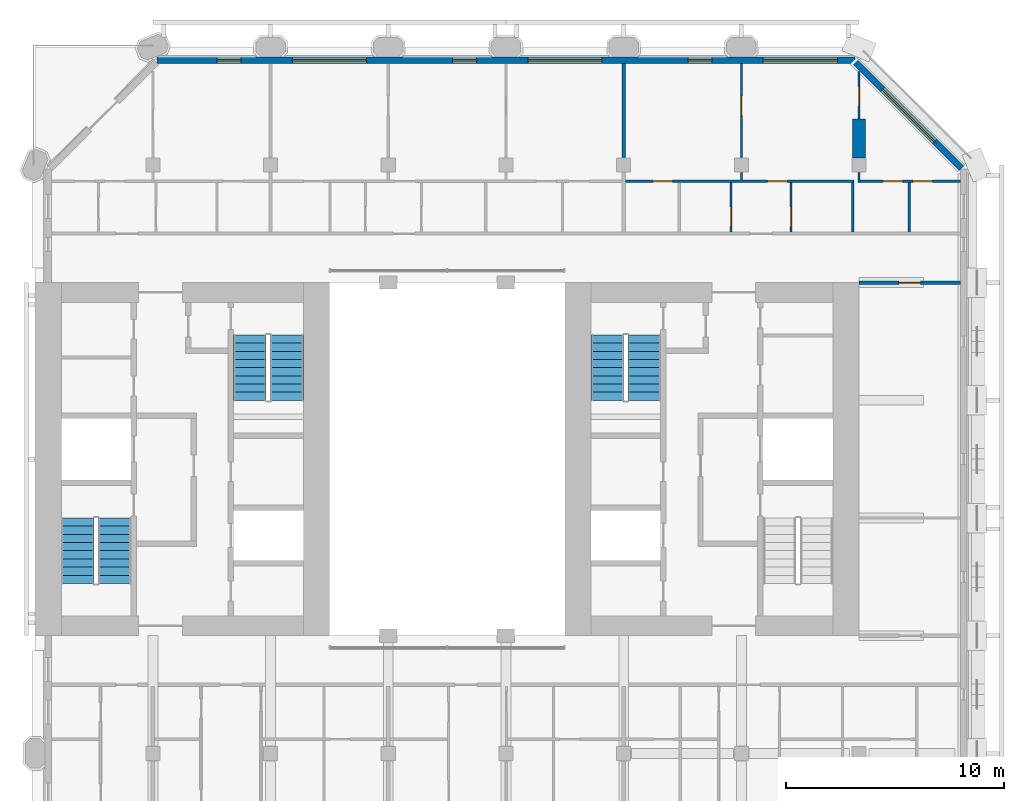
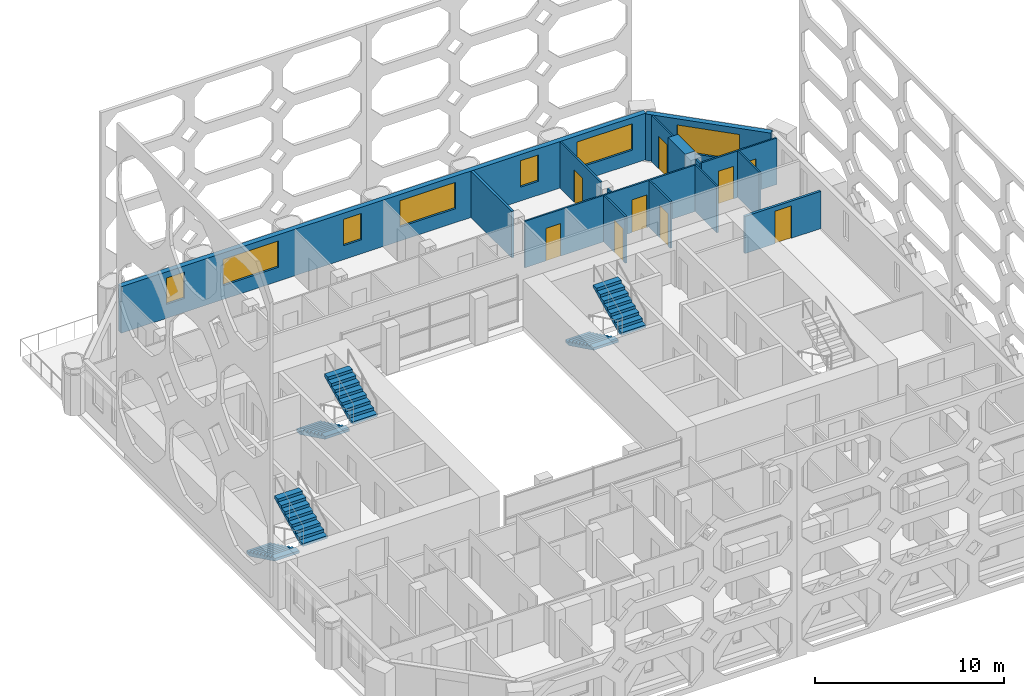
# One storey, part 11 of 15: 15 walls, 9 doors, 7 windows, 6 stair flights, 16 openings, 3 elements without a shape of their own.
"""IFC4 building model written with IfcOpenShell, lengths in metres."""

from ifc_helpers import new_model, si_unit, direction, frame, frame_2d, origin, place, context, subcontext, project, spatial, polyline, rectangle, outline, extrude, material, layer, layer_set, type_object, element, fill, aggregate, save


model = new_model("IFC4")

# Units and contexts
model_context = context("Model", 3, precision=1e-05, world=origin(), true_north=direction((0.0, 1.0)))
body_context = subcontext(model_context, "Body", "Model", "MODEL_VIEW")
ifc_project = project(units=[si_unit("LENGTHUNIT", "METRE"), si_unit("AREAUNIT", "SQUARE_METRE"), si_unit("VOLUMEUNIT", "CUBIC_METRE"), si_unit("PLANEANGLEUNIT", "RADIAN"), si_unit("MASSUNIT", "GRAM", prefix="KILO")], contexts=[model_context])

# Site, building, storey
site_placement = place(None, origin())
site = spatial("IfcSite", under=ifc_project, at=site_placement, CompositionType="ELEMENT")
building_placement = place(site_placement, origin())
building = spatial("IfcBuilding", under=site, at=building_placement, Name="Tabaq Tower and Sports Hall", CompositionType="ELEMENT")
storey_placement = place(building_placement, frame((0.0, 0.0, 265.300048828125)))
storey = spatial("IfcBuildingStorey", under=building, at=storey_placement, Name="L64", CompositionType="ELEMENT", Elevation=265.300048828125)

# Wall
ifc_material_1 = material(Name="Gypsum board on steel studs", Category="steel")
ifc_layer_1 = layer(ifc_material_1, 0.10009765625)
ifc_layer_set_1 = layer_set([ifc_layer_1], Name="Partition 100 Gypsum board")
wall_type_1 = type_object("IfcWallType", Name="Partition 100 Gypsum board", PredefinedType="PARTITIONING", material=ifc_layer_set_1)
wall_1_placement = place(storey_placement, frame((37.800048828125, 37.10009765625, 0.0), z_axis=(0.0, 0.0, 1.0), x_axis=(0.0, 1.0, 0.0)))
element("IfcWall", 1, at=wall_1_placement, inside=storey, type_object=wall_type_1, Name="Partition wall L64", PredefinedType="PARTITIONING", context=body_context, shape_type="SweptSolid", body=[
    extrude(rectangle(XDim=0.35498046875, YDim=0.10009765625, at=frame_2d((0.177490234375, 0.0))), origin(), (0.0, 0.0, 1.0), 3.0),
])

# Wall, opening, door
wall_2_placement = place(storey_placement, frame((37.800048828125, 38.14501953125, 0.0), z_axis=(0.0, 0.0, 1.0), x_axis=(0.0, 1.0, 0.0)))
wall_2 = element("IfcWall", 2, at=wall_2_placement, inside=storey, type_object=wall_type_1, Name="Partition wall L64", PredefinedType="PARTITIONING", context=body_context, shape_type="SweptSolid", body=[
    extrude(rectangle(XDim=4.303955078125, YDim=0.10009765625, at=frame_2d((2.15185546875, 0.0))), origin(), (0.0, 0.0, 1.0), 3.0),
])
opening_1_placement = place(wall_2_placement, frame((1.91796875, 0.0, 0.0)))
opening_1 = element("IfcOpeningElement", 3, at=opening_1_placement, cuts=wall_2, Name="Opening L64-034", PredefinedType="OPENING", context=body_context, shape_type="SweptSolid", body=[
    extrude(rectangle(XDim=0.89990234375, YDim=2.10009765625, at=frame_2d((0.449951171875, 1.050048828125))), frame((0.0, 0.050048828125, 0.0), z_axis=(0.0, -1.0, 0.0), x_axis=(1.0, 0.0, 0.0)), (0.0, 0.0, 1.0), 0.10009765625),
])
ifc_material_2 = material(Name="Timber leaf in steel frame", Category="steel")
door_type_1 = type_object("IfcDoorType", Name="Internal door 900 right hand", OperationType="SINGLE_SWING_RIGHT", PredefinedType="DOOR", material=ifc_material_2)
door_1_placement = place(opening_1_placement, origin())
door_1 = element("IfcDoor", 4, at=door_1_placement, inside=storey, type_object=door_type_1, Name="Internal door L64-034", OperationType="SINGLE_SWING_RIGHT", OverallHeight=2.10009765625, OverallWidth=0.89990234375, PredefinedType="DOOR", context=body_context, shape_type="SweptSolid", body=[
    extrude(rectangle(XDim=0.89990234375, YDim=2.10009765625, at=frame_2d((0.449951171875, 1.050048828125))), frame((0.0, 0.02490234375, 0.0), z_axis=(0.0, -1.0, 0.0), x_axis=(1.0, 0.0, 0.0)), (0.0, 0.0, 1.0), 0.050048828125),
])
fill(opening_1, door_1)

# Wall, openings, doors
wall_3_placement = place(storey_placement, frame((32.47509765625, 37.050048828125, 0.0), z_axis=(0.0, 0.0, 1.0), x_axis=(1.0, 0.0, 0.0)))
wall_3 = element("IfcWall", 5, at=wall_3_placement, inside=storey, type_object=wall_type_1, Name="Partition wall L64", PredefinedType="PARTITIONING", context=body_context, shape_type="SweptSolid", body=[
    extrude(rectangle(XDim=10.48486328125, YDim=0.10009765625, at=frame_2d((5.242431640625, 0.0))), origin(), (0.0, 0.0, 1.0), 3.0),
])
opening_2_placement = place(wall_3_placement, frame((1.27490234375, 0.0, 0.0)))
opening_2 = element("IfcOpeningElement", 6, at=opening_2_placement, cuts=wall_3, Name="Opening L64-008", PredefinedType="OPENING", context=body_context, shape_type="SweptSolid", body=[
    extrude(rectangle(XDim=0.89990234375, YDim=2.10009765625, at=frame_2d((0.449951171875, 1.050048828125))), frame((0.0, 0.050048828125, 0.0), z_axis=(0.0, -1.0, 0.0), x_axis=(1.0, 0.0, 0.0)), (0.0, 0.0, 1.0), 0.10009765625),
])
opening_3_placement = place(wall_3_placement, frame((6.534912109375, 0.0, 0.0)))
opening_3 = element("IfcOpeningElement", 7, at=opening_3_placement, cuts=wall_3, Name="Opening L64-052", PredefinedType="OPENING", context=body_context, shape_type="SweptSolid", body=[
    extrude(rectangle(XDim=0.89990234375, YDim=2.10009765625, at=frame_2d((0.449951171875, 1.050048828125))), frame((0.0, 0.050048828125, 0.0), z_axis=(0.0, -1.0, 0.0), x_axis=(1.0, 0.0, 0.0)), (0.0, 0.0, 1.0), 0.10009765625),
])
door_2_placement = place(opening_2_placement, origin())
door_2 = element("IfcDoor", 8, at=door_2_placement, inside=storey, type_object=door_type_1, Name="Internal door L64-008", OperationType="SINGLE_SWING_RIGHT", OverallHeight=2.10009765625, OverallWidth=0.89990234375, PredefinedType="DOOR", context=body_context, shape_type="SweptSolid", body=[
    extrude(rectangle(XDim=0.89990234375, YDim=2.10009765625, at=frame_2d((0.449951171875, 1.050048828125))), frame((0.0, 0.02490234375, 0.0), z_axis=(0.0, -1.0, 0.0), x_axis=(1.0, 0.0, 0.0)), (0.0, 0.0, 1.0), 0.050048828125),
])
fill(opening_2, door_2)
door_3_placement = place(opening_3_placement, origin())
door_3 = element("IfcDoor", 9, at=door_3_placement, inside=storey, type_object=door_type_1, Name="Internal door L64-052", OperationType="SINGLE_SWING_RIGHT", OverallHeight=2.10009765625, OverallWidth=0.89990234375, PredefinedType="DOOR", context=body_context, shape_type="SweptSolid", body=[
    extrude(rectangle(XDim=0.89990234375, YDim=2.10009765625, at=frame_2d((0.449951171875, 1.050048828125))), frame((0.0, 0.02490234375, 0.0), z_axis=(0.0, -1.0, 0.0), x_axis=(1.0, 0.0, 0.0)), (0.0, 0.0, 1.0), 0.050048828125),
])
fill(opening_3, door_3)

# Wall
wall_4_placement = place(storey_placement, frame((43.199951171875, 37.0, 0.0), z_axis=(0.0, 0.0, 1.0), x_axis=(0.0, 1.0, 0.0)))
element("IfcWall", 10, at=wall_4_placement, inside=storey, type_object=wall_type_1, Name="Partition wall L64", PredefinedType="PARTITIONING", context=body_context, shape_type="SweptSolid", body=[
    extrude(rectangle(XDim=0.455078125, YDim=0.10009765625, at=frame_2d((0.2275390625, 0.0))), origin(), (0.0, 0.0, 1.0), 3.0),
])

# Wall, opening, door
wall_5_placement = place(storey_placement, frame((43.199951171875, 39.91259765625, 0.0), z_axis=(0.0, 0.0, 1.0), x_axis=(0.0, 1.0, 0.0)))
wall_5 = element("IfcWall", 11, at=wall_5_placement, inside=storey, type_object=wall_type_1, Name="Partition wall L64", PredefinedType="PARTITIONING", context=body_context, shape_type="SweptSolid", body=[
    extrude(rectangle(XDim=2.17529296875, YDim=0.10009765625, at=frame_2d((1.087646484375, 0.0))), origin(), (0.0, 0.0, 1.0), 3.0),
])
opening_4_placement = place(wall_5_placement, frame((0.577392578125, 0.0, 0.0)))
opening_4 = element("IfcOpeningElement", 12, at=opening_4_placement, cuts=wall_5, Name="Opening L64-051", PredefinedType="OPENING", context=body_context, shape_type="SweptSolid", body=[
    extrude(rectangle(XDim=0.89990234375, YDim=2.10009765625, at=frame_2d((0.449951171875, 1.050048828125))), frame((0.0, 0.050048828125, 0.0), z_axis=(0.0, -1.0, 0.0), x_axis=(1.0, 0.0, 0.0)), (0.0, 0.0, 1.0), 0.10009765625),
])
ifc_material_3 = material(Name="Timber leaf in steel frame", Category="steel")
door_type_2 = type_object("IfcDoorType", Name="Internal door 900 left hand", OperationType="SINGLE_SWING_LEFT", PredefinedType="DOOR", material=ifc_material_3)
door_4_placement = place(opening_4_placement, origin())
door_4 = element("IfcDoor", 13, at=door_4_placement, inside=storey, type_object=door_type_2, Name="Internal door L64-051", OperationType="SINGLE_SWING_LEFT", OverallHeight=2.10009765625, OverallWidth=0.89990234375, PredefinedType="DOOR", context=body_context, shape_type="SweptSolid", body=[
    extrude(rectangle(XDim=0.89990234375, YDim=2.10009765625, at=frame_2d((0.449951171875, 1.050048828125))), frame((0.0, 0.02490234375, 0.0), z_axis=(0.0, -1.0, 0.0), x_axis=(1.0, 0.0, 0.0)), (0.0, 0.0, 1.0), 0.050048828125),
])
fill(opening_4, door_4)

# Wall, openings, doors
wall_6_placement = place(storey_placement, frame((43.25, 37.050048828125, 0.0), z_axis=(0.0, 0.0, 1.0), x_axis=(1.0, 0.0, 0.0)))
wall_6 = element("IfcWall", 14, at=wall_6_placement, inside=storey, type_object=wall_type_1, Name="Partition wall L64", PredefinedType="PARTITIONING", context=body_context, shape_type="SweptSolid", body=[
    extrude(rectangle(XDim=4.59912109375, YDim=0.10009765625, at=frame_2d((2.299560546875, 0.0))), origin(), (0.0, 0.0, 1.0), 3.0),
])
opening_5_placement = place(wall_6_placement, frame((1.050048828125, 0.0, 0.0)))
opening_5 = element("IfcOpeningElement", 15, at=opening_5_placement, cuts=wall_6, Name="Opening L64-009", PredefinedType="OPENING", context=body_context, shape_type="SweptSolid", body=[
    extrude(rectangle(XDim=0.89990234375, YDim=2.10009765625, at=frame_2d((0.449951171875, 1.050048828125))), frame((0.0, 0.050048828125, 0.0), z_axis=(0.0, -1.0, 0.0), x_axis=(1.0, 0.0, 0.0)), (0.0, 0.0, 1.0), 0.10009765625),
])
opening_6_placement = place(wall_6_placement, frame((2.419921875, 0.0, 0.0)))
opening_6 = element("IfcOpeningElement", 16, at=opening_6_placement, cuts=wall_6, Name="Opening L64-010", PredefinedType="OPENING", context=body_context, shape_type="SweptSolid", body=[
    extrude(rectangle(XDim=0.89990234375, YDim=2.10009765625, at=frame_2d((0.449951171875, 1.050048828125))), frame((0.0, 0.050048828125, 0.0), z_axis=(0.0, -1.0, 0.0), x_axis=(1.0, 0.0, 0.0)), (0.0, 0.0, 1.0), 0.10009765625),
])
door_5_placement = place(opening_5_placement, origin())
door_5 = element("IfcDoor", 17, at=door_5_placement, inside=storey, type_object=door_type_2, Name="Internal door L64-009", OperationType="SINGLE_SWING_LEFT", OverallHeight=2.10009765625, OverallWidth=0.89990234375, PredefinedType="DOOR", context=body_context, shape_type="SweptSolid", body=[
    extrude(rectangle(XDim=0.89990234375, YDim=2.10009765625, at=frame_2d((0.449951171875, 1.050048828125))), frame((0.0, 0.02490234375, 0.0), z_axis=(0.0, -1.0, 0.0), x_axis=(1.0, 0.0, 0.0)), (0.0, 0.0, 1.0), 0.050048828125),
])
fill(opening_5, door_5)
door_6_placement = place(opening_6_placement, origin())
door_6 = element("IfcDoor", 18, at=door_6_placement, inside=storey, type_object=door_type_1, Name="Internal door L64-010", OperationType="SINGLE_SWING_RIGHT", OverallHeight=2.10009765625, OverallWidth=0.89990234375, PredefinedType="DOOR", context=body_context, shape_type="SweptSolid", body=[
    extrude(rectangle(XDim=0.89990234375, YDim=2.10009765625, at=frame_2d((0.449951171875, 1.050048828125))), frame((0.0, 0.02490234375, 0.0), z_axis=(0.0, -1.0, 0.0), x_axis=(1.0, 0.0, 0.0)), (0.0, 0.0, 1.0), 0.050048828125),
])
fill(opening_6, door_6)

# Wall, opening, door
wall_7_placement = place(storey_placement, frame((37.330078125, 34.72509765625, 0.0), z_axis=(0.0, 0.0, 1.0), x_axis=(0.0, 1.0, 0.0)))
wall_7 = element("IfcWall", 19, at=wall_7_placement, inside=storey, type_object=wall_type_1, Name="Partition wall L64", PredefinedType="PARTITIONING", context=body_context, shape_type="SweptSolid", body=[
    extrude(rectangle(XDim=2.27490234375, YDim=0.10009765625, at=frame_2d((1.137451171875, 0.0))), origin(), (0.0, 0.0, 1.0), 3.0),
])
opening_7_placement = place(wall_7_placement, frame((0.25, 0.0, 0.0)))
opening_7 = element("IfcOpeningElement", 20, at=opening_7_placement, cuts=wall_7, Name="Opening L64-011", PredefinedType="OPENING", context=body_context, shape_type="SweptSolid", body=[
    extrude(rectangle(XDim=0.89990234375, YDim=2.10009765625, at=frame_2d((0.449951171875, 1.050048828125))), frame((0.0, 0.050048828125, 0.0), z_axis=(0.0, -1.0, 0.0), x_axis=(1.0, 0.0, 0.0)), (0.0, 0.0, 1.0), 0.10009765625),
])
door_7_placement = place(opening_7_placement, origin())
door_7 = element("IfcDoor", 21, at=door_7_placement, inside=storey, type_object=door_type_2, Name="Internal door L64-011", OperationType="SINGLE_SWING_LEFT", OverallHeight=2.10009765625, OverallWidth=0.89990234375, PredefinedType="DOOR", context=body_context, shape_type="SweptSolid", body=[
    extrude(rectangle(XDim=0.89990234375, YDim=2.10009765625, at=frame_2d((0.449951171875, 1.050048828125))), frame((0.0, 0.02490234375, 0.0), z_axis=(0.0, -1.0, 0.0), x_axis=(1.0, 0.0, 0.0)), (0.0, 0.0, 1.0), 0.050048828125),
])
fill(opening_7, door_7)

wall_8_placement = place(storey_placement, frame((40.080078125, 34.72509765625, 0.0), z_axis=(0.0, 0.0, 1.0), x_axis=(0.0, 1.0, 0.0)))
wall_8 = element("IfcWall", 22, at=wall_8_placement, inside=storey, type_object=wall_type_1, Name="Partition wall L64", PredefinedType="PARTITIONING", context=body_context, shape_type="SweptSolid", body=[
    extrude(rectangle(XDim=2.27490234375, YDim=0.10009765625, at=frame_2d((1.137451171875, 0.0))), origin(), (0.0, 0.0, 1.0), 3.0),
])
opening_8_placement = place(wall_8_placement, frame((0.25, 0.0, 0.0)))
opening_8 = element("IfcOpeningElement", 23, at=opening_8_placement, cuts=wall_8, Name="Opening L64-012", PredefinedType="OPENING", context=body_context, shape_type="SweptSolid", body=[
    extrude(rectangle(XDim=0.89990234375, YDim=2.10009765625, at=frame_2d((0.449951171875, 1.050048828125))), frame((0.0, 0.050048828125, 0.0), z_axis=(0.0, -1.0, 0.0), x_axis=(1.0, 0.0, 0.0)), (0.0, 0.0, 1.0), 0.10009765625),
])
door_8_placement = place(opening_8_placement, origin())
door_8 = element("IfcDoor", 24, at=door_8_placement, inside=storey, type_object=door_type_1, Name="Internal door L64-012", OperationType="SINGLE_SWING_RIGHT", OverallHeight=2.10009765625, OverallWidth=0.89990234375, PredefinedType="DOOR", context=body_context, shape_type="SweptSolid", body=[
    extrude(rectangle(XDim=0.89990234375, YDim=2.10009765625, at=frame_2d((0.449951171875, 1.050048828125))), frame((0.0, 0.02490234375, 0.0), z_axis=(0.0, -1.0, 0.0), x_axis=(1.0, 0.0, 0.0)), (0.0, 0.0, 1.0), 0.050048828125),
])
fill(opening_8, door_8)

# Walls
for number, where, z_axis, x_axis, name in (
    (25, (42.909912109375, 34.72509765625, 0.0), (0.0, 0.0, 1.0), (0.0, 1.0, 0.0), "Partition wall L64"),
    (26, (45.5, 34.72509765625, 0.0), (0.0, 0.0, 1.0), (0.0, 1.0, 0.0), "Partition wall L64"),
):
    element("IfcWall", number, at=place(storey_placement, frame(where, z_axis=z_axis, x_axis=x_axis)), inside=storey, type_object=wall_type_1, Name=name, PredefinedType="PARTITIONING", context=body_context, shape_type="SweptSolid", body=[
        extrude(rectangle(XDim=2.27490234375, YDim=0.10009765625, at=frame_2d((1.137451171875, 0.0))), origin(), (0.0, 0.0, 1.0), 3.0),
    ])
ifc_material_4 = material(Name="Concrete C40/50", Category="concrete")
ifc_layer_2 = layer(ifc_material_4, 0.60009765625)
ifc_layer_set_2 = layer_set([ifc_layer_2], Name="RC TRANSFER WALL 600 C40/50")
wall_type_2 = type_object("IfcWallType", Name="RC TRANSFER WALL 600 C40/50", PredefinedType="SHEAR", material=ifc_layer_set_2)
wall_9_placement = place(storey_placement, frame((43.199951171875, 38.125, 0.0), z_axis=(0.0, 0.0, 1.0), x_axis=(0.0, 1.0, 0.0)))
element("IfcWall", 27, at=wall_9_placement, inside=storey, type_object=wall_type_2, Name="Transfer Wall L64 East 3", PredefinedType="SHEAR", context=body_context, shape_type="SweptSolid", body=[
    extrude(rectangle(XDim=1.78759765625, YDim=0.60009765625, at=frame_2d((0.893798828125, 0.0))), origin(), (0.0, 0.0, 1.0), 3.0),
])
ifc_material_5 = material(Name="Blockwork", Category="masonry")
ifc_layer_3 = layer(ifc_material_5, 0.14990234375)
ifc_layer_set_3 = layer_set([ifc_layer_3], Name="Separating wall 150 Blockwork")
wall_type_3 = type_object("IfcWallType", Name="Separating wall 150 Blockwork", PredefinedType="PARTITIONING", material=ifc_layer_set_3)
wall_10_placement = place(storey_placement, frame((32.39990234375, 38.14501953125, 0.0), z_axis=(0.0, 0.0, 1.0), x_axis=(0.0, 1.0, 0.0)))
element("IfcWall", 28, at=wall_10_placement, inside=storey, type_object=wall_type_3, Name="Separating wall L64", PredefinedType="PARTITIONING", context=body_context, shape_type="SweptSolid", body=[
    extrude(rectangle(XDim=4.303955078125, YDim=0.14990234375, at=frame_2d((2.15185546875, 0.0))), origin(), (0.0, 0.0, 1.0), 3.0),
])

# Wall, opening, door
wall_11_placement = place(storey_placement, frame((47.84912109375, 32.39990234375, 0.0), z_axis=(0.0, 0.0, 1.0), x_axis=(-1.0, 0.0, 0.0)))
wall_11 = element("IfcWall", 29, at=wall_11_placement, inside=storey, type_object=wall_type_3, Name="Separating wall L64", PredefinedType="PARTITIONING", context=body_context, shape_type="SweptSolid", body=[
    extrude(rectangle(XDim=4.649169921875, YDim=0.14990234375, at=frame_2d((2.32470703125, 0.0))), origin(), (0.0, 0.0, 1.0), 2.39990234375),
])
opening_9_placement = place(wall_11_placement, frame((1.823974609375, 0.0, 0.0)))
opening_9 = element("IfcOpeningElement", 30, at=opening_9_placement, cuts=wall_11, Name="Opening L64-013", PredefinedType="OPENING", context=body_context, shape_type="SweptSolid", body=[
    extrude(rectangle(XDim=1.0, YDim=2.10009765625, at=frame_2d((0.5, 1.050048828125))), frame((0.0, 0.074951171875, 0.0), z_axis=(0.0, -1.0, 0.0), x_axis=(1.0, 0.0, 0.0)), (0.0, 0.0, 1.0), 0.14990234375),
])
ifc_material_6 = material(Name="Timber leaf in steel frame", Category="steel")
door_type_3 = type_object("IfcDoorType", Name="Internal door 1000 left hand", OperationType="SINGLE_SWING_LEFT", PredefinedType="DOOR", material=ifc_material_6)
door_9_placement = place(opening_9_placement, origin())
door_9 = element("IfcDoor", 31, at=door_9_placement, inside=storey, type_object=door_type_3, Name="Internal door L64-013", OperationType="SINGLE_SWING_LEFT", OverallHeight=2.10009765625, OverallWidth=1.0, PredefinedType="DOOR", context=body_context, shape_type="SweptSolid", body=[
    extrude(rectangle(XDim=1.0, YDim=2.10009765625, at=frame_2d((0.5, 1.050048828125))), frame((0.0, 0.02490234375, 0.0), z_axis=(0.0, -1.0, 0.0), x_axis=(1.0, 0.0, 0.0)), (0.0, 0.0, 1.0), 0.050048828125),
])
fill(opening_9, door_9)

# Wall, opening, window
ifc_material_7 = material(Name="White precast concrete C60/75", Category="concrete")
ifc_layer_4 = layer(ifc_material_7, 0.300048828125)
ifc_layer_set_4 = layer_set([ifc_layer_4], Name="White precast concrete C60/75 external wall 300")
wall_type_4 = type_object("IfcWallType", Name="White precast concrete C60/75 external wall 300", PredefinedType="SOLIDWALL", material=ifc_layer_set_4)
wall_12_placement = place(storey_placement, frame((47.901123046875, 37.650390625, 0.0), z_axis=(0.0, 0.0, 1.0), x_axis=(-0.707106781187, 0.707106781187, 0.0)))
wall_12 = element("IfcWall", 32, at=wall_12_placement, inside=storey, type_object=wall_type_4, Name="External Wall L64 NE", PredefinedType="SOLIDWALL", context=body_context, shape_type="SweptSolid", body=[
    extrude(rectangle(XDim=6.85986328125, YDim=0.300048828125, at=frame_2d((3.429931640625, 0.0))), origin(), (0.0, 0.0, 1.0), 3.0),
])
opening_10_placement = place(wall_12_placement, frame((1.729736328125, 0.0, 0.89990234375)))
opening_10 = element("IfcOpeningElement", 33, at=opening_10_placement, cuts=wall_12, Name="Opening W1A", PredefinedType="OPENING", context=body_context, shape_type="SweptSolid", body=[
    extrude(rectangle(XDim=3.39990234375, YDim=1.699951171875, at=frame_2d((1.699951171875, 0.85009765625))), frame((0.0, 0.16015625, 0.0), z_axis=(0.0, -1.0, 0.0), x_axis=(1.0, 0.0, 0.0)), (0.0, 0.0, 1.0), 0.320068359375),
])
ifc_material_8 = material(Name="Aluminium framed clear glazing", Category="aluminium")
window_type_1 = type_object("IfcWindowType", Name="Window W1A", PartitioningType="SINGLE_PANEL", PredefinedType="WINDOW", material=ifc_material_8)
window_1_placement = place(opening_10_placement, origin())
window_1 = element("IfcWindow", 34, at=window_1_placement, inside=storey, type_object=window_type_1, Name="Window W1A L64", OverallHeight=1.699951171875, OverallWidth=3.39990234375, PartitioningType="SINGLE_PANEL", PredefinedType="WINDOW", context=body_context, shape_type="SweptSolid", body=[
    extrude(rectangle(XDim=3.39990234375, YDim=1.699951171875, at=frame_2d((1.699951171875, 0.85009765625))), frame((0.0, 0.030029296875, 0.0), z_axis=(0.0, -1.0, 0.0), x_axis=(1.0, 0.0, 0.0)), (0.0, 0.0, 1.0), 0.06005859375),
])
fill(opening_10, window_1)

# Wall, openings, windows
wall_13_placement = place(storey_placement, frame((43.013671875, 42.60009765625, 0.0), z_axis=(0.0, 0.0, 1.0), x_axis=(-1.0, 0.0, 0.0)))
wall_13 = element("IfcWall", 35, at=wall_13_placement, inside=storey, type_object=wall_type_4, Name="External Wall L64 N", PredefinedType="SOLIDWALL", context=body_context, shape_type="SweptSolid", body=[
    extrude(rectangle(XDim=32.02734375, YDim=0.300048828125, at=frame_2d((16.013671875, 0.0))), origin(), (0.0, 0.0, 1.0), 3.0),
])
opening_11_placement = place(wall_13_placement, frame((0.813720703125, 0.0, 0.89990234375)))
opening_11 = element("IfcOpeningElement", 36, at=opening_11_placement, cuts=wall_13, Name="Opening W1A", PredefinedType="OPENING", context=body_context, shape_type="SweptSolid", body=[
    extrude(rectangle(XDim=3.39990234375, YDim=1.699951171875, at=frame_2d((1.699951171875, 0.85009765625))), frame((0.0, 0.16015625, 0.0), z_axis=(0.0, -1.0, 0.0), x_axis=(1.0, 0.0, 0.0)), (0.0, 0.0, 1.0), 0.320068359375),
])
opening_12_placement = place(wall_13_placement, frame((6.563720703125, 0.0, 0.89990234375)))
opening_12 = element("IfcOpeningElement", 37, at=opening_12_placement, cuts=wall_13, Name="Opening W1B", PredefinedType="OPENING", context=body_context, shape_type="SweptSolid", body=[
    extrude(rectangle(XDim=1.10009765625, YDim=1.699951171875, at=frame_2d((0.550048828125, 0.85009765625))), frame((0.0, 0.16015625, 0.0), z_axis=(0.0, -1.0, 0.0), x_axis=(1.0, 0.0, 0.0)), (0.0, 0.0, 1.0), 0.320068359375),
])
opening_13_placement = place(wall_13_placement, frame((11.613525390625, 0.0, 0.89990234375)))
opening_13 = element("IfcOpeningElement", 38, at=opening_13_placement, cuts=wall_13, Name="Opening W1A", PredefinedType="OPENING", context=body_context, shape_type="SweptSolid", body=[
    extrude(rectangle(XDim=3.39990234375, YDim=1.699951171875, at=frame_2d((1.699951171875, 0.85009765625))), frame((0.0, 0.16015625, 0.0), z_axis=(0.0, -1.0, 0.0), x_axis=(1.0, 0.0, 0.0)), (0.0, 0.0, 1.0), 0.320068359375),
])
opening_14_placement = place(wall_13_placement, frame((17.363525390625, 0.0, 0.89990234375)))
opening_14 = element("IfcOpeningElement", 39, at=opening_14_placement, cuts=wall_13, Name="Opening W1B", PredefinedType="OPENING", context=body_context, shape_type="SweptSolid", body=[
    extrude(rectangle(XDim=1.10009765625, YDim=1.699951171875, at=frame_2d((0.550048828125, 0.85009765625))), frame((0.0, 0.16015625, 0.0), z_axis=(0.0, -1.0, 0.0), x_axis=(1.0, 0.0, 0.0)), (0.0, 0.0, 1.0), 0.320068359375),
])
opening_15_placement = place(wall_13_placement, frame((22.41357421875, 0.0, 0.89990234375)))
opening_15 = element("IfcOpeningElement", 40, at=opening_15_placement, cuts=wall_13, Name="Opening W1A", PredefinedType="OPENING", context=body_context, shape_type="SweptSolid", body=[
    extrude(rectangle(XDim=3.39990234375, YDim=1.699951171875, at=frame_2d((1.699951171875, 0.85009765625))), frame((0.0, 0.16015625, 0.0), z_axis=(0.0, -1.0, 0.0), x_axis=(1.0, 0.0, 0.0)), (0.0, 0.0, 1.0), 0.320068359375),
])
opening_16_placement = place(wall_13_placement, frame((28.16357421875, 0.0, 0.89990234375)))
opening_16 = element("IfcOpeningElement", 41, at=opening_16_placement, cuts=wall_13, Name="Opening W1B", PredefinedType="OPENING", context=body_context, shape_type="SweptSolid", body=[
    extrude(rectangle(XDim=1.10009765625, YDim=1.699951171875, at=frame_2d((0.550048828125, 0.85009765625))), frame((0.0, 0.16015625, 0.0), z_axis=(0.0, -1.0, 0.0), x_axis=(1.0, 0.0, 0.0)), (0.0, 0.0, 1.0), 0.320068359375),
])
window_2_placement = place(opening_11_placement, origin())
window_2 = element("IfcWindow", 42, at=window_2_placement, inside=storey, type_object=window_type_1, Name="Window W1A L64", OverallHeight=1.699951171875, OverallWidth=3.39990234375, PartitioningType="SINGLE_PANEL", PredefinedType="WINDOW", context=body_context, shape_type="SweptSolid", body=[
    extrude(rectangle(XDim=3.39990234375, YDim=1.699951171875, at=frame_2d((1.699951171875, 0.85009765625))), frame((0.0, 0.030029296875, 0.0), z_axis=(0.0, -1.0, 0.0), x_axis=(1.0, 0.0, 0.0)), (0.0, 0.0, 1.0), 0.06005859375),
])
fill(opening_11, window_2)
window_3_placement = place(opening_13_placement, origin())
window_3 = element("IfcWindow", 43, at=window_3_placement, inside=storey, type_object=window_type_1, Name="Window W1A L64", OverallHeight=1.699951171875, OverallWidth=3.39990234375, PartitioningType="SINGLE_PANEL", PredefinedType="WINDOW", context=body_context, shape_type="SweptSolid", body=[
    extrude(rectangle(XDim=3.39990234375, YDim=1.699951171875, at=frame_2d((1.699951171875, 0.85009765625))), frame((0.0, 0.030029296875, 0.0), z_axis=(0.0, -1.0, 0.0), x_axis=(1.0, 0.0, 0.0)), (0.0, 0.0, 1.0), 0.06005859375),
])
fill(opening_13, window_3)
window_4_placement = place(opening_15_placement, origin())
window_4 = element("IfcWindow", 44, at=window_4_placement, inside=storey, type_object=window_type_1, Name="Window W1A L64", OverallHeight=1.699951171875, OverallWidth=3.39990234375, PartitioningType="SINGLE_PANEL", PredefinedType="WINDOW", context=body_context, shape_type="SweptSolid", body=[
    extrude(rectangle(XDim=3.39990234375, YDim=1.699951171875, at=frame_2d((1.699951171875, 0.85009765625))), frame((0.0, 0.030029296875, 0.0), z_axis=(0.0, -1.0, 0.0), x_axis=(1.0, 0.0, 0.0)), (0.0, 0.0, 1.0), 0.06005859375),
])
fill(opening_15, window_4)
ifc_material_9 = material(Name="Aluminium framed clear glazing", Category="aluminium")
window_type_2 = type_object("IfcWindowType", Name="Window W1B", PartitioningType="SINGLE_PANEL", PredefinedType="WINDOW", material=ifc_material_9)
window_5_placement = place(opening_12_placement, origin())
window_5 = element("IfcWindow", 45, at=window_5_placement, inside=storey, type_object=window_type_2, Name="Window W1B L64", OverallHeight=1.699951171875, OverallWidth=1.10009765625, PartitioningType="SINGLE_PANEL", PredefinedType="WINDOW", context=body_context, shape_type="SweptSolid", body=[
    extrude(rectangle(XDim=1.10009765625, YDim=1.699951171875, at=frame_2d((0.550048828125, 0.85009765625))), frame((0.0, 0.030029296875, 0.0), z_axis=(0.0, -1.0, 0.0), x_axis=(1.0, 0.0, 0.0)), (0.0, 0.0, 1.0), 0.06005859375),
])
fill(opening_12, window_5)
window_6_placement = place(opening_14_placement, origin())
window_6 = element("IfcWindow", 46, at=window_6_placement, inside=storey, type_object=window_type_2, Name="Window W1B L64", OverallHeight=1.699951171875, OverallWidth=1.10009765625, PartitioningType="SINGLE_PANEL", PredefinedType="WINDOW", context=body_context, shape_type="SweptSolid", body=[
    extrude(rectangle(XDim=1.10009765625, YDim=1.699951171875, at=frame_2d((0.550048828125, 0.85009765625))), frame((0.0, 0.030029296875, 0.0), z_axis=(0.0, -1.0, 0.0), x_axis=(1.0, 0.0, 0.0)), (0.0, 0.0, 1.0), 0.06005859375),
])
fill(opening_14, window_6)
window_7_placement = place(opening_16_placement, origin())
window_7 = element("IfcWindow", 47, at=window_7_placement, inside=storey, type_object=window_type_2, Name="Window W1B L64", OverallHeight=1.699951171875, OverallWidth=1.10009765625, PartitioningType="SINGLE_PANEL", PredefinedType="WINDOW", context=body_context, shape_type="SweptSolid", body=[
    extrude(rectangle(XDim=1.10009765625, YDim=1.699951171875, at=frame_2d((0.550048828125, 0.85009765625))), frame((0.0, 0.030029296875, 0.0), z_axis=(0.0, -1.0, 0.0), x_axis=(1.0, 0.0, 0.0)), (0.0, 0.0, 1.0), 0.06005859375),
])
fill(opening_16, window_7)

# Stair, stair flights
ifc_material_10 = material(Name="Concrete C40/50", Category="concrete")
stair_type = type_object("IfcStairType", Name="Exit stair", PredefinedType="HALF_TURN_STAIR", material=ifc_material_10)
stair_1_placement = place(storey_placement, origin())
stair_1 = element("IfcStair", 48, at=stair_1_placement, inside=storey, type_object=stair_type, Name="L64 Exit stair ST1", PredefinedType="HALF_TURN_STAIR")
ifc_material_11 = material(Name="Concrete C40/50", Category="concrete")
stair_flight_type = type_object("IfcStairFlightType", Name="Exit stair flight", PredefinedType="STRAIGHT", material=ifc_material_11)
stair_flight_1_placement = place(storey_placement, frame((7.35009765625, 21.60009765625, 0.0), z_axis=(0.0, 0.0, 1.0), x_axis=(0.0, -1.0, 0.0)))
stair_flight_1 = element("IfcStairFlight", 49, at=stair_flight_1_placement, type_object=stair_flight_type, Name="ST1 flight 1", NumberOfRisers=9, NumberOfTreads=8, PredefinedType="STRAIGHT", RiserHeight=0.183333333, TreadLength=0.375, context=body_context, shape_type="SweptSolid", body=[
    extrude(outline(polyline([(0.0, 0.0), (0.0, 0.183349609375), (0.375, 0.183349609375), (0.375, 0.36669921875), (0.75, 0.36669921875), (0.75, 0.550048828125), (1.125, 0.550048828125), (1.125, 0.7333984375), (1.5, 0.7333984375), (1.5, 0.916748046875), (1.875, 0.916748046875), (1.875, 1.10009765625), (2.25, 1.10009765625), (2.25, 1.283447265625), (2.625, 1.283447265625), (2.625, 1.466552734375), (3.0, 1.466552734375), (3.0, 1.64990234375), (3.0, 1.2998046875), (0.34130859375, 0.0), (0.0, 0.0)])), frame((0.0, 0.75, 0.0), z_axis=(0.0, -1.0, 0.0), x_axis=(1.0, 0.0, 0.0)), (0.0, 0.0, 1.0), 1.5),
])
stair_flight_2_placement = place(storey_placement, frame((9.050048828125, 18.60009765625, 1.64990234375), z_axis=(0.0, 0.0, 1.0), x_axis=(0.0, 1.0, 0.0)))
stair_flight_2 = element("IfcStairFlight", 50, at=stair_flight_2_placement, type_object=stair_flight_type, Name="ST1 flight 2", NumberOfRisers=9, NumberOfTreads=8, PredefinedType="STRAIGHT", RiserHeight=0.183333333, TreadLength=0.375, context=body_context, shape_type="SweptSolid", body=[
    extrude(outline(polyline([(0.0, 0.0), (0.0, 0.183349609375), (0.375, 0.183349609375), (0.375, 0.36669921875), (0.75, 0.36669921875), (0.75, 0.550048828125), (1.125, 0.550048828125), (1.125, 0.7333984375), (1.5, 0.7333984375), (1.5, 0.916748046875), (1.875, 0.916748046875), (1.875, 1.10009765625), (2.25, 1.10009765625), (2.25, 1.283447265625), (2.625, 1.283447265625), (2.625, 1.466552734375), (3.0, 1.466552734375), (3.0, 1.64990234375), (3.0, 1.2998046875), (0.34130859375, 0.0), (0.0, 0.0)])), frame((0.0, 0.75, 0.0), z_axis=(0.0, -1.0, 0.0), x_axis=(1.0, 0.0, 0.0)), (0.0, 0.0, 1.0), 1.5),
])
aggregate(stair_1, [stair_flight_1, stair_flight_2])

stair_2_placement = place(storey_placement, origin())
stair_2 = element("IfcStair", 51, at=stair_2_placement, inside=storey, type_object=stair_type, Name="L64 Exit stair ST2", PredefinedType="HALF_TURN_STAIR")
stair_flight_3_placement = place(storey_placement, frame((15.25, 30.0, 0.0), z_axis=(0.0, 0.0, 1.0), x_axis=(0.0, -1.0, 0.0)))
stair_flight_3 = element("IfcStairFlight", 52, at=stair_flight_3_placement, type_object=stair_flight_type, Name="ST2 flight 1", NumberOfRisers=9, NumberOfTreads=8, PredefinedType="STRAIGHT", RiserHeight=0.183333333, TreadLength=0.375, context=body_context, shape_type="SweptSolid", body=[
    extrude(outline(polyline([(0.0, 0.0), (0.0, 0.183349609375), (0.375, 0.183349609375), (0.375, 0.36669921875), (0.75, 0.36669921875), (0.75, 0.550048828125), (1.125, 0.550048828125), (1.125, 0.7333984375), (1.5, 0.7333984375), (1.5, 0.916748046875), (1.875, 0.916748046875), (1.875, 1.10009765625), (2.25, 1.10009765625), (2.25, 1.283447265625), (2.625, 1.283447265625), (2.625, 1.466552734375), (3.0, 1.466552734375), (3.0, 1.64990234375), (3.0, 1.2998046875), (0.34130859375, 0.0), (0.0, 0.0)])), frame((0.0, 0.75, 0.0), z_axis=(0.0, -1.0, 0.0), x_axis=(1.0, 0.0, 0.0)), (0.0, 0.0, 1.0), 1.5),
])
stair_flight_4_placement = place(storey_placement, frame((16.949951171875, 27.0, 1.64990234375), z_axis=(0.0, 0.0, 1.0), x_axis=(0.0, 1.0, 0.0)))
stair_flight_4 = element("IfcStairFlight", 53, at=stair_flight_4_placement, type_object=stair_flight_type, Name="ST2 flight 2", NumberOfRisers=9, NumberOfTreads=8, PredefinedType="STRAIGHT", RiserHeight=0.183333333, TreadLength=0.375, context=body_context, shape_type="SweptSolid", body=[
    extrude(outline(polyline([(0.0, 0.0), (0.0, 0.183349609375), (0.375, 0.183349609375), (0.375, 0.36669921875), (0.75, 0.36669921875), (0.75, 0.550048828125), (1.125, 0.550048828125), (1.125, 0.7333984375), (1.5, 0.7333984375), (1.5, 0.916748046875), (1.875, 0.916748046875), (1.875, 1.10009765625), (2.25, 1.10009765625), (2.25, 1.283447265625), (2.625, 1.283447265625), (2.625, 1.466552734375), (3.0, 1.466552734375), (3.0, 1.64990234375), (3.0, 1.2998046875), (0.34130859375, 0.0), (0.0, 0.0)])), frame((0.0, 0.75, 0.0), z_axis=(0.0, -1.0, 0.0), x_axis=(1.0, 0.0, 0.0)), (0.0, 0.0, 1.0), 1.5),
])
aggregate(stair_2, [stair_flight_3, stair_flight_4])

stair_3_placement = place(storey_placement, origin())
stair_3 = element("IfcStair", 54, at=stair_3_placement, inside=storey, type_object=stair_type, Name="L64 Exit stair ST4", PredefinedType="HALF_TURN_STAIR")
stair_flight_5_placement = place(storey_placement, frame((31.64990234375, 30.0, 0.0), z_axis=(0.0, 0.0, 1.0), x_axis=(0.0, -1.0, 0.0)))
stair_flight_5 = element("IfcStairFlight", 55, at=stair_flight_5_placement, type_object=stair_flight_type, Name="ST4 flight 1", NumberOfRisers=9, NumberOfTreads=8, PredefinedType="STRAIGHT", RiserHeight=0.183333333, TreadLength=0.375, context=body_context, shape_type="SweptSolid", body=[
    extrude(outline(polyline([(0.0, 0.0), (0.0, 0.183349609375), (0.375, 0.183349609375), (0.375, 0.36669921875), (0.75, 0.36669921875), (0.75, 0.550048828125), (1.125, 0.550048828125), (1.125, 0.7333984375), (1.5, 0.7333984375), (1.5, 0.916748046875), (1.875, 0.916748046875), (1.875, 1.10009765625), (2.25, 1.10009765625), (2.25, 1.283447265625), (2.625, 1.283447265625), (2.625, 1.466552734375), (3.0, 1.466552734375), (3.0, 1.64990234375), (3.0, 1.2998046875), (0.34130859375, 0.0), (0.0, 0.0)])), frame((0.0, 0.75, 0.0), z_axis=(0.0, -1.0, 0.0), x_axis=(1.0, 0.0, 0.0)), (0.0, 0.0, 1.0), 1.5),
])
stair_flight_6_placement = place(storey_placement, frame((33.35009765625, 27.0, 1.64990234375), z_axis=(0.0, 0.0, 1.0), x_axis=(0.0, 1.0, 0.0)))
stair_flight_6 = element("IfcStairFlight", 56, at=stair_flight_6_placement, type_object=stair_flight_type, Name="ST4 flight 2", NumberOfRisers=9, NumberOfTreads=8, PredefinedType="STRAIGHT", RiserHeight=0.183333333, TreadLength=0.375, context=body_context, shape_type="SweptSolid", body=[
    extrude(outline(polyline([(0.0, 0.0), (0.0, 0.183349609375), (0.375, 0.183349609375), (0.375, 0.36669921875), (0.75, 0.36669921875), (0.75, 0.550048828125), (1.125, 0.550048828125), (1.125, 0.7333984375), (1.5, 0.7333984375), (1.5, 0.916748046875), (1.875, 0.916748046875), (1.875, 1.10009765625), (2.25, 1.10009765625), (2.25, 1.283447265625), (2.625, 1.283447265625), (2.625, 1.466552734375), (3.0, 1.466552734375), (3.0, 1.64990234375), (3.0, 1.2998046875), (0.34130859375, 0.0), (0.0, 0.0)])), frame((0.0, 0.75, 0.0), z_axis=(0.0, -1.0, 0.0), x_axis=(1.0, 0.0, 0.0)), (0.0, 0.0, 1.0), 1.5),
])
aggregate(stair_3, [stair_flight_5, stair_flight_6])

save(model, "model.ifc")
